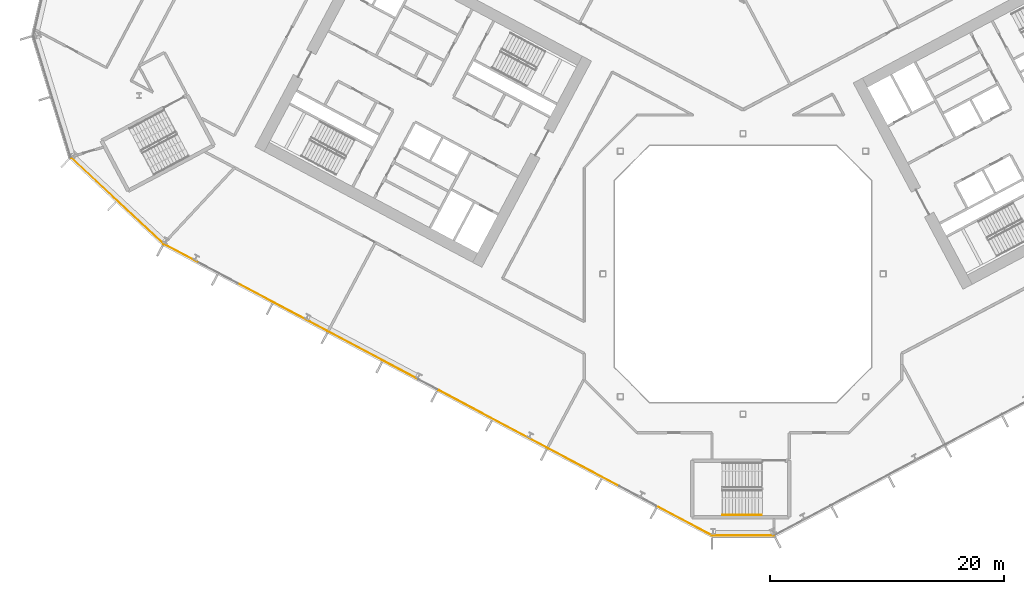
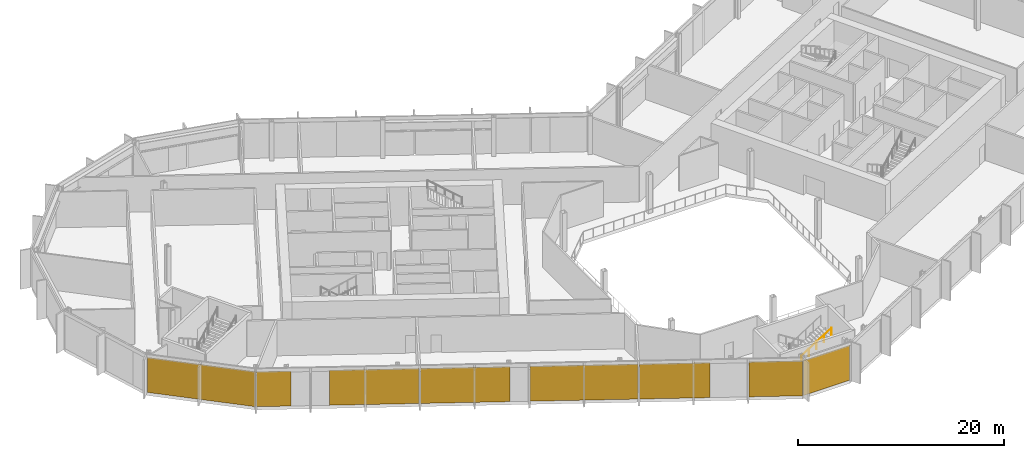
# One storey, part 22 of 32: 8 coverings, 1 railing, 3 elements without a shape of their own.
"""IFC4 building model written with IfcOpenShell, lengths in metres."""

from ifc_helpers import new_model, si_unit, direction, frame, origin, origin_2d, place, context, subcontext, project, spatial, polyline, rectangle, outline, extrude, material, layer, layer_set, type_object, element, aggregate, save


model = new_model("IFC4")

# Units and contexts
model_context = context("Model", 3, precision=1e-05, world=origin(), true_north=direction((0.0, 1.0)))
body_context = subcontext(model_context, "Body", "Model", "MODEL_VIEW")
ifc_project = project(units=[si_unit("LENGTHUNIT", "METRE"), si_unit("AREAUNIT", "SQUARE_METRE"), si_unit("VOLUMEUNIT", "CUBIC_METRE"), si_unit("PLANEANGLEUNIT", "RADIAN"), si_unit("MASSUNIT", "GRAM", prefix="KILO")], contexts=[model_context])

# Site, building, storey
site_placement = place(None, origin())
site = spatial("IfcSite", under=ifc_project, at=site_placement, CompositionType="ELEMENT")
building_placement = place(site_placement, origin())
building = spatial("IfcBuilding", under=site, at=building_placement, Name="Cormorant Relay Tower", CompositionType="ELEMENT")
storey_placement = place(building_placement, frame((0.0, 0.0, 66.199951171875)))
storey = spatial("IfcBuildingStorey", under=building, at=storey_placement, Name="L12", CompositionType="ELEMENT", Elevation=66.199951171875)

# Curtain wall, covering
ifc_material_1 = material(Name="Aluminium 6063-T6 anodised bronze", Category="aluminium")
ifc_layer_1 = layer(ifc_material_1, 0.199951171875)
ifc_layer_set_1 = layer_set([ifc_layer_1], Name="CW1 unitised bronze curtain wall with vertical fins")
curtain_wall_type = type_object("IfcCurtainWallType", Name="CW1 unitised bronze curtain wall with vertical fins", PredefinedType="NOTDEFINED", material=ifc_layer_set_1)
curtain_wall_1_placement = place(storey_placement, origin())
curtain_wall_1 = element("IfcCurtainWall", 1, at=curtain_wall_1_placement, inside=storey, type_object=curtain_wall_type, Name="CW1 curtain wall 1", PredefinedType="NOTDEFINED")
ifc_material_2 = material(Name="Pale bronze anodised aluminium insulated panel", Category="aluminium")
ifc_layer_2 = layer(ifc_material_2, 0.0400390625)
ifc_layer_set_2 = layer_set([ifc_layer_2], Name="CW1 pale bronze insulated panel 40")
covering_type = type_object("IfcCoveringType", Name="CW1 pale bronze insulated panel 40", PredefinedType="CLADDING", material=ifc_layer_set_2)
covering_1_placement = place(storey_placement, frame((0.03759765625, -22.3955078125, 0.0), z_axis=(0.0, 0.0, 1.0), x_axis=(1.0, 0.0, 0.0)))
covering_1 = element("IfcCovering", 2, at=covering_1_placement, type_object=covering_type, Name="CW1 panel S00", PredefinedType="CLADDING", context=body_context, shape_type="SweptSolid", body=[
    extrude(rectangle(XDim=5.22265625, YDim=0.0400390625, at=origin_2d()), origin(), (0.0, 0.0, 1.0), 4.14990234375),
])
aggregate(curtain_wall_1, [covering_1])

curtain_wall_2_placement = place(storey_placement, origin())
curtain_wall_2 = element("IfcCurtainWall", 3, at=curtain_wall_2_placement, inside=storey, type_object=curtain_wall_type, Name="CW1 curtain wall 13", PredefinedType="NOTDEFINED")
covering_2_placement = place(storey_placement, frame((-53.552734375, 6.2509765625, 0.0), z_axis=(0.0, 0.0, 1.0), x_axis=(0.731353701619, -0.681998360062, 0.0)))
covering_2 = element("IfcCovering", 4, at=covering_2_placement, type_object=covering_type, Name="CW1 panel S00", PredefinedType="CLADDING", context=body_context, shape_type="SweptSolid", body=[
    extrude(rectangle(XDim=10.79541015625, YDim=0.0400390625, at=origin_2d()), origin(), (0.0, 0.0, 1.0), 4.14990234375),
])
aggregate(curtain_wall_2, [covering_2])

# Curtain wall, coverings
curtain_wall_3_placement = place(storey_placement, origin())
curtain_wall_3 = element("IfcCurtainWall", 5, at=curtain_wall_3_placement, inside=storey, type_object=curtain_wall_type, Name="CW1 curtain wall 14", PredefinedType="NOTDEFINED")
covering_3_placement = place(storey_placement, frame((-48.048583984375, 1.7412109375, 0.0), z_axis=(0.0, 0.0, 1.0), x_axis=(0.882947592859, -0.469471562786, 0.0)))
covering_3 = element("IfcCovering", 6, at=covering_3_placement, type_object=covering_type, Name="CW1 panel S00", PredefinedType="CLADDING", context=body_context, shape_type="SweptSolid", body=[
    extrude(rectangle(XDim=3.36669921875, YDim=0.0400390625, at=origin_2d()), origin(), (0.0, 0.0, 1.0), 4.14990234375),
])
covering_4_placement = place(storey_placement, frame((-39.417724609375, -2.847900390625, 0.0), z_axis=(0.0, 0.0, 1.0), x_axis=(0.882947592859, -0.469471562786, 0.0)))
covering_4 = element("IfcCovering", 7, at=covering_4_placement, type_object=covering_type, Name="CW1 panel S03", PredefinedType="CLADDING", context=body_context, shape_type="SweptSolid", body=[
    extrude(rectangle(XDim=8.68310546875, YDim=0.0400390625, at=origin_2d()), origin(), (0.0, 0.0, 1.0), 4.14990234375),
])
covering_5_placement = place(storey_placement, frame((-31.618408203125, -6.994873046875, 0.0), z_axis=(0.0, 0.0, 1.0), x_axis=(0.882947592859, -0.469471562786, 0.0)))
covering_5 = element("IfcCovering", 8, at=covering_5_placement, type_object=covering_type, Name="CW1 panel S04", PredefinedType="CLADDING", context=body_context, shape_type="SweptSolid", body=[
    extrude(rectangle(XDim=8.68310546875, YDim=0.0400390625, at=origin_2d()), origin(), (0.0, 0.0, 1.0), 4.14990234375),
])
covering_6_placement = place(storey_placement, frame((-21.435302734375, -12.4091796875, 0.0), z_axis=(0.0, 0.0, 1.0), x_axis=(0.882947592859, -0.469471562786, 0.0)))
covering_6 = element("IfcCovering", 9, at=covering_6_placement, type_object=covering_type, Name="CW1 panel S06", PredefinedType="CLADDING", context=body_context, shape_type="SweptSolid", body=[
    extrude(rectangle(XDim=10.483154296875, YDim=0.0400390625, at=origin_2d()), origin(), (0.0, 0.0, 1.0), 4.14990234375),
])
covering_7_placement = place(storey_placement, frame((-13.635986328125, -16.55615234375, 0.0), z_axis=(0.0, 0.0, 1.0), x_axis=(0.882947592859, -0.469471562786, 0.0)))
covering_7 = element("IfcCovering", 10, at=covering_7_placement, type_object=covering_type, Name="CW1 panel S07", PredefinedType="CLADDING", context=body_context, shape_type="SweptSolid", body=[
    extrude(rectangle(XDim=6.88330078125, YDim=0.0400390625, at=origin_2d()), origin(), (0.0, 0.0, 1.0), 4.14990234375),
])
covering_8_placement = place(storey_placement, frame((-4.972412109375, -21.162841796875, 0.0), z_axis=(0.0, 0.0, 1.0), x_axis=(0.882947592859, -0.469471562786, 0.0)))
covering_8 = element("IfcCovering", 11, at=covering_8_placement, type_object=covering_type, Name="CW1 panel S09", PredefinedType="CLADDING", context=body_context, shape_type="SweptSolid", body=[
    extrude(rectangle(XDim=5.24169921875, YDim=0.0400390625, at=origin_2d()), origin(), (0.0, 0.0, 1.0), 4.14990234375),
])
aggregate(curtain_wall_3, [covering_3, covering_4, covering_5, covering_6, covering_7, covering_8])

# Railing
ifc_material_3 = material(Name="Steel ASTM A572 Grade 50 (Fy 345 MPa)", Category="steel")
railing_type = type_object("IfcRailingType", Name="Stair handrail 900", PredefinedType="HANDRAIL", material=ifc_material_3)
railing_placement = place(storey_placement, frame((-1.760009765625, -20.625, 2.47705078125)))
element("IfcRailing", 12, at=railing_placement, inside=storey, type_object=railing_type, Name="L12 RK1 stair handrail 2", PredefinedType="HANDRAIL", context=body_context, shape_type="SweptSolid", body=[
    extrude(outline(polyline([(0.022216796875, 0.00927734375), (0.00927734375, 0.022216796875), (-0.00927734375, 0.022216796875), (-0.022216796875, 0.00927734375), (-0.022216796875, -0.00927734375), (-0.00927734375, -0.022216796875), (0.00927734375, -0.022216796875), (0.022216796875, -0.00927734375), (0.022216796875, 0.00927734375)])), frame((0.0, 0.0, 0.8759765625), z_axis=(0.845389635667, 0.0, 0.534150132366), x_axis=(0.0, 1.0, 0.0)), (0.0, 0.0, 1.0), 3.974609375),
    extrude(outline(polyline([(0.019287109375, 0.008056640625), (0.008056640625, 0.019287109375), (-0.008056640625, 0.019287109375), (-0.019287109375, 0.008056640625), (-0.019287109375, -0.008056640625), (-0.008056640625, -0.019287109375), (0.008056640625, -0.019287109375), (0.019287109375, -0.008056640625), (0.019287109375, 0.008056640625)])), origin(), (0.0, 0.0, 1.0), 0.851806640625),
    extrude(outline(polyline([(0.019287109375, 0.008056640625), (0.008056640625, 0.019287109375), (-0.008056640625, 0.019287109375), (-0.019287109375, 0.008056640625), (-0.019287109375, -0.008056640625), (-0.008056640625, -0.019287109375), (0.008056640625, -0.019287109375), (0.019287109375, -0.008056640625), (0.019287109375, 0.008056640625)])), frame((0.840087890625, 0.0, 0.53076171875)), (0.0, 0.0, 1.0), 0.851806640625),
    extrude(outline(polyline([(0.019287109375, 0.008056640625), (0.008056640625, 0.019287109375), (-0.008056640625, 0.019287109375), (-0.019287109375, 0.008056640625), (-0.019287109375, -0.008056640625), (-0.008056640625, -0.019287109375), (0.008056640625, -0.019287109375), (0.019287109375, -0.008056640625), (0.019287109375, 0.008056640625)])), frame((1.68017578125, 0.0, 1.0615234375)), (0.0, 0.0, 1.0), 0.851806640625),
    extrude(outline(polyline([(0.019287109375, 0.008056640625), (0.008056640625, 0.019287109375), (-0.008056640625, 0.019287109375), (-0.019287109375, 0.008056640625), (-0.019287109375, -0.008056640625), (-0.008056640625, -0.019287109375), (0.008056640625, -0.019287109375), (0.019287109375, -0.008056640625), (0.019287109375, 0.008056640625)])), frame((2.52001953125, 0.0, 1.59228515625)), (0.0, 0.0, 1.0), 0.851806640625),
    extrude(outline(polyline([(0.019287109375, 0.008056640625), (0.008056640625, 0.019287109375), (-0.008056640625, 0.019287109375), (-0.019287109375, 0.008056640625), (-0.019287109375, -0.008056640625), (-0.008056640625, -0.019287109375), (0.008056640625, -0.019287109375), (0.019287109375, -0.008056640625), (0.019287109375, 0.008056640625)])), frame((3.360107421875, 0.0, 2.123046875)), (0.0, 0.0, 1.0), 0.851806640625),
])

save(model, "model.ifc")
